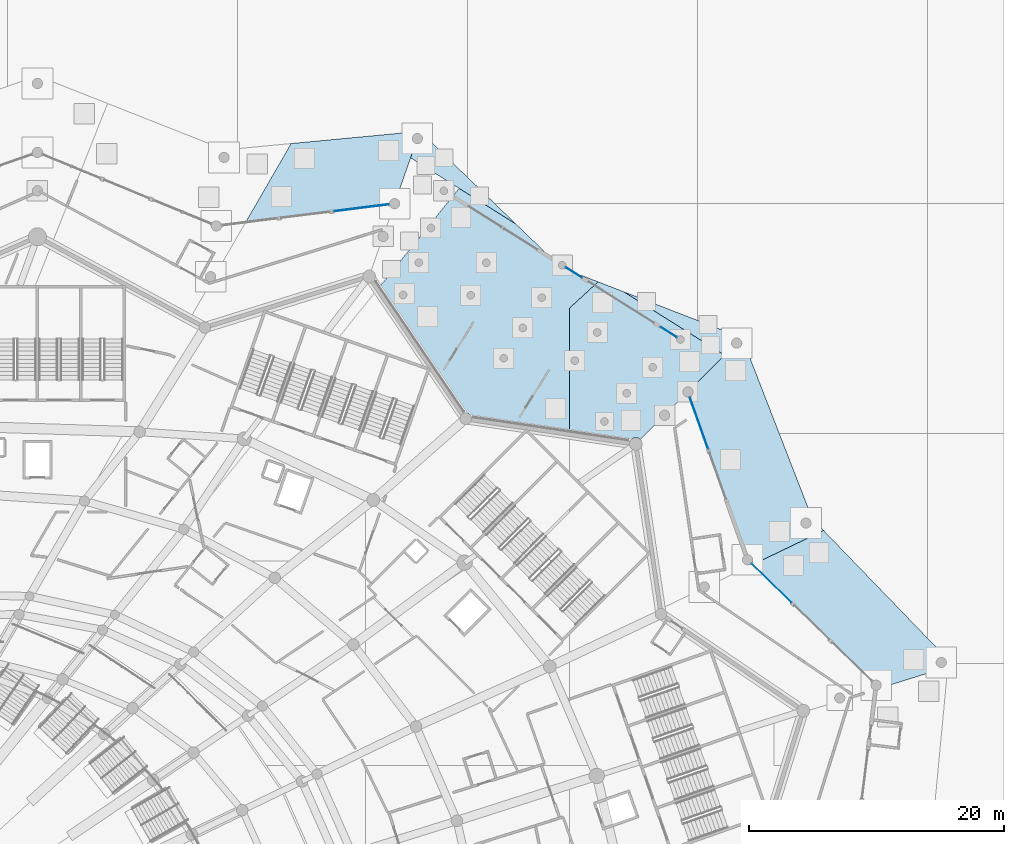
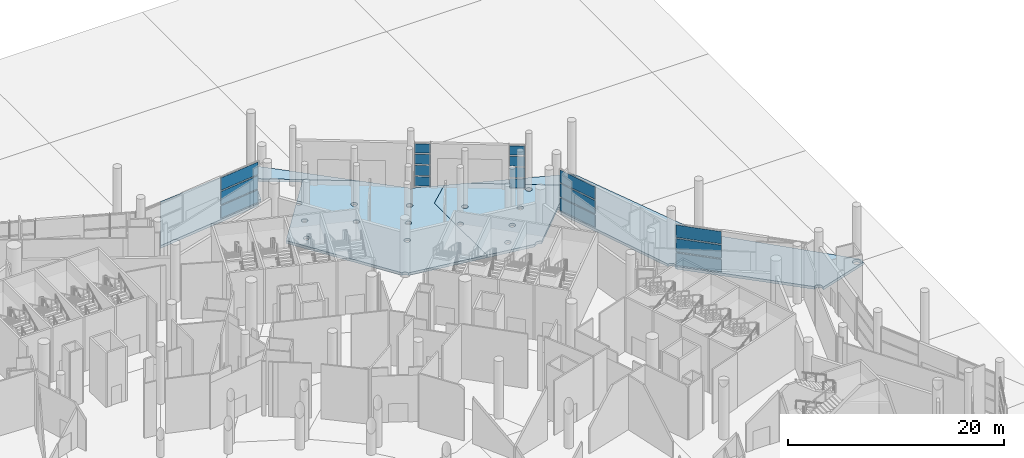
# One storey, part 99 of 255: 17 plates, 7 slabs, 5 elements without a shape of their own.
"""IFC4 building model written with IfcOpenShell, lengths in metres."""

from ifc_helpers import new_model, si_unit, direction, frame, origin, origin_2d, place, context, subcontext, project, spatial, polyline, rectangle, outline, extrude, material, layer, layer_set, type_object, element, aggregate, save


model = new_model("IFC4")

# Units and contexts
model_context = context("Model", 3, precision=1e-05, world=origin(), true_north=direction((0.0, 1.0)))
body_context = subcontext(model_context, "Body", "Model", "MODEL_VIEW")
ifc_project = project(units=[si_unit("LENGTHUNIT", "METRE"), si_unit("AREAUNIT", "SQUARE_METRE"), si_unit("VOLUMEUNIT", "CUBIC_METRE"), si_unit("PLANEANGLEUNIT", "RADIAN"), si_unit("MASSUNIT", "GRAM", prefix="KILO")], contexts=[model_context])

# Site, building, storey
site_placement = place(None, origin())
site = spatial("IfcSite", under=ifc_project, at=site_placement, CompositionType="ELEMENT")
building_placement = place(site_placement, origin())
building = spatial("IfcBuilding", under=site, at=building_placement, Name="Meseta Stadium", CompositionType="ELEMENT")
storey_placement = place(building_placement, origin())
storey = spatial("IfcBuildingStorey", under=building, at=storey_placement, Name="L00", CompositionType="ELEMENT", Elevation=0.0)

# Slabs
ifc_material_1 = material(Name="Concrete C40/50", Category="concrete")
ifc_layer_1 = layer(ifc_material_1, 0.300048828125)
ifc_layer_set_1 = layer_set([ifc_layer_1], Name="Gate court paving 300")
slab_type_1 = type_object("IfcSlabType", Name="Gate court paving 300", PredefinedType="FLOOR", material=ifc_layer_set_1)
slab_1_placement = place(storey_placement, frame((0.0, 0.0, -0.300048828125)))
element("IfcSlab", 1, at=slab_1_placement, inside=storey, type_object=slab_type_1, Name="Gate 2 court paving", PredefinedType="FLOOR", context=body_context, shape_type="SweptSolid", body=[
    extrude(outline(polyline([(79.30517578125, 103.0048828125), (68.273193359375, 113.6533203125), (67.5458984375, 111.57470703125), (75.799560546875, 106.388916015625), (79.30517578125, 103.0048828125)])), origin(), (0.0, 0.0, 1.0), 0.300048828125),
])
slab_2_placement = place(storey_placement, frame((0.0, 0.0, -0.300048828125)))
element("IfcSlab", 2, at=slab_2_placement, inside=storey, type_object=slab_type_1, Name="Gate 2 court paving", PredefinedType="FLOOR", context=body_context, shape_type="SweptSolid", body=[
    extrude(outline(polyline([(92.12841796875, 96.12841796875), (93.49755859375, 97.49755859375), (84.220458984375, 101.09765625), (92.12841796875, 96.12841796875)])), origin(), (0.0, 0.0, 1.0), 0.300048828125),
])
ifc_material_2 = material(Name="Concrete C30/37", Category="concrete")
ifc_layer_2 = layer(ifc_material_2, 0.300048828125)
ifc_layer_set_2 = layer_set([ifc_layer_2], Name="Gate grade slab 300")
slab_type_2 = type_object("IfcSlabType", Name="Gate grade slab 300", PredefinedType="BASESLAB", material=ifc_layer_set_2)
slab_3_placement = place(storey_placement, frame((0.0, 0.0, -0.300048828125)))
element("IfcSlab", 3, at=slab_3_placement, inside=storey, type_object=slab_type_2, Name="Gate ground floor slab 2 part 2 panel 01", PredefinedType="BASESLAB", context=body_context, shape_type="SweptSolid", body=[
    extrude(outline(polyline([(72.177734375, 91.4716796875), (72.249755859375, 91.377685546875), (72.29541015625, 91.267578125), (80.0, 90.123779296875), (80.0, 99.828369140625), (82.230224609375, 101.869873046875), (79.5537109375, 102.908447265625), (79.489990234375, 102.882080078125), (79.41162109375, 102.87158203125), (79.333251953125, 102.882080078125), (79.26025390625, 102.912109375), (79.19775390625, 102.960205078125), (79.149658203125, 103.02294921875), (79.119384765625, 103.095947265625), (79.10888671875, 103.17431640625), (79.111328125, 103.19189453125), (75.799560546875, 106.388916015625), (71.34375, 109.1884765625), (69.07861328125, 106.3818359375), (69.137451171875, 106.389404296875), (69.2158203125, 106.379150390625), (69.288818359375, 106.348876953125), (69.351318359375, 106.30078125), (69.3994140625, 106.23828125), (69.4296875, 106.165283203125), (69.440185546875, 106.0869140625), (69.4296875, 106.008544921875), (69.3994140625, 105.935546875), (69.351318359375, 105.872802734375), (69.288818359375, 105.82470703125), (69.2158203125, 105.794677734375), (69.137451171875, 105.7841796875), (69.05908203125, 105.794677734375), (68.986083984375, 105.82470703125), (68.923583984375, 105.872802734375), (68.87548828125, 105.935546875), (68.84521484375, 106.008544921875), (68.835693359375, 106.080810546875), (65.091552734375, 101.44140625), (71.773681640625, 91.59375), (71.856689453125, 91.604736328125), (71.97412109375, 91.589111328125), (72.083740234375, 91.5439453125), (72.177734375, 91.4716796875)]), holes=[polyline([(74.7578125, 95.60009765625), (74.684814453125, 95.63037109375), (74.622314453125, 95.678466796875), (74.57421875, 95.7412109375), (74.5439453125, 95.814208984375), (74.533447265625, 95.892578125), (74.5439453125, 95.970703125), (74.57421875, 96.043701171875), (74.622314453125, 96.1064453125), (74.684814453125, 96.154541015625), (74.7578125, 96.184814453125), (74.836181640625, 96.195068359375), (74.91455078125, 96.184814453125), (74.9873046875, 96.154541015625), (75.050048828125, 96.1064453125), (75.09814453125, 96.043701171875), (75.12841796875, 95.970703125), (75.138671875, 95.892578125), (75.12841796875, 95.814208984375), (75.09814453125, 95.7412109375), (75.050048828125, 95.678466796875), (74.9873046875, 95.63037109375), (74.91455078125, 95.60009765625), (74.836181640625, 95.58984375), (74.7578125, 95.60009765625)]), polyline([(72.519287109375, 100.970947265625), (72.549560546875, 100.89794921875), (72.56005859375, 100.819580078125), (72.549560546875, 100.7412109375), (72.519287109375, 100.66845703125), (72.47119140625, 100.605712890625), (72.40869140625, 100.5576171875), (72.335693359375, 100.52734375), (72.25732421875, 100.51708984375), (72.17919921875, 100.52734375), (72.106201171875, 100.5576171875), (72.04345703125, 100.605712890625), (71.995361328125, 100.66845703125), (71.965087890625, 100.7412109375), (71.954833984375, 100.819580078125), (71.965087890625, 100.89794921875), (71.995361328125, 100.970947265625), (72.04345703125, 101.03369140625), (72.106201171875, 101.081787109375), (72.17919921875, 101.11181640625), (72.25732421875, 101.122314453125), (72.335693359375, 101.11181640625), (72.40869140625, 101.081787109375), (72.47119140625, 101.03369140625), (72.519287109375, 100.970947265625)]), polyline([(67.21484375, 100.997314453125), (67.2451171875, 100.92431640625), (67.25537109375, 100.845947265625), (67.2451171875, 100.767578125), (67.21484375, 100.694580078125), (67.166748046875, 100.6318359375), (67.10400390625, 100.583740234375), (67.031005859375, 100.5537109375), (66.952880859375, 100.543212890625), (66.87451171875, 100.5537109375), (66.801513671875, 100.583740234375), (66.73876953125, 100.6318359375), (66.69091796875, 100.694580078125), (66.660400390625, 100.767578125), (66.650146484375, 100.845947265625), (66.660400390625, 100.92431640625), (66.69091796875, 100.997314453125), (66.73876953125, 101.059814453125), (66.801513671875, 101.10791015625), (66.87451171875, 101.13818359375), (66.952880859375, 101.1484375), (67.031005859375, 101.13818359375), (67.10400390625, 101.10791015625), (67.166748046875, 101.059814453125), (67.21484375, 100.997314453125)]), polyline([(73.738525390625, 103.51171875), (73.768798828125, 103.438720703125), (73.779052734375, 103.360595703125), (73.768798828125, 103.2822265625), (73.738525390625, 103.209228515625), (73.6904296875, 103.146484375), (73.627685546875, 103.098388671875), (73.5546875, 103.068115234375), (73.4765625, 103.057861328125), (73.398193359375, 103.068115234375), (73.3251953125, 103.098388671875), (73.262451171875, 103.146484375), (73.21435546875, 103.209228515625), (73.18408203125, 103.2822265625), (73.173828125, 103.360595703125), (73.18408203125, 103.438720703125), (73.21435546875, 103.51171875), (73.262451171875, 103.574462890625), (73.3251953125, 103.62255859375), (73.398193359375, 103.65283203125), (73.4765625, 103.6630859375), (73.5546875, 103.65283203125), (73.627685546875, 103.62255859375), (73.6904296875, 103.574462890625), (73.738525390625, 103.51171875)]), polyline([(68.40283203125, 103.590087890625), (68.450927734375, 103.52734375), (68.481201171875, 103.454345703125), (68.491455078125, 103.3759765625), (68.481201171875, 103.297607421875), (68.450927734375, 103.224609375), (68.40283203125, 103.162109375), (68.340087890625, 103.114013671875), (68.26708984375, 103.083740234375), (68.18896484375, 103.073486328125), (68.110595703125, 103.083740234375), (68.03759765625, 103.114013671875), (67.974853515625, 103.162109375), (67.927001953125, 103.224609375), (67.896484375, 103.297607421875), (67.88623046875, 103.3759765625), (67.896484375, 103.454345703125), (67.927001953125, 103.52734375), (67.974853515625, 103.590087890625), (68.03759765625, 103.63818359375), (68.110595703125, 103.668212890625), (68.18896484375, 103.6787109375), (68.26708984375, 103.668212890625), (68.340087890625, 103.63818359375), (68.40283203125, 103.590087890625)]), polyline([(76.539794921875, 98.477294921875), (76.587890625, 98.41455078125), (76.6181640625, 98.341552734375), (76.62841796875, 98.26318359375), (76.6181640625, 98.18505859375), (76.587890625, 98.112060546875), (76.539794921875, 98.04931640625), (76.47705078125, 98.001220703125), (76.404052734375, 97.970947265625), (76.32568359375, 97.960693359375), (76.24755859375, 97.970947265625), (76.174560546875, 98.001220703125), (76.11181640625, 98.04931640625), (76.063720703125, 98.112060546875), (76.03369140625, 98.18505859375), (76.023193359375, 98.26318359375), (76.03369140625, 98.341552734375), (76.063720703125, 98.41455078125), (76.11181640625, 98.477294921875), (76.174560546875, 98.525390625), (76.24755859375, 98.5556640625), (76.32568359375, 98.56591796875), (76.404052734375, 98.5556640625), (76.47705078125, 98.525390625), (76.539794921875, 98.477294921875)]), polyline([(78.07763671875, 100.785400390625), (78.10791015625, 100.71240234375), (78.1181640625, 100.634033203125), (78.10791015625, 100.555908203125), (78.07763671875, 100.48291015625), (78.029541015625, 100.420166015625), (77.966796875, 100.3720703125), (77.893798828125, 100.341796875), (77.8154296875, 100.33154296875), (77.7373046875, 100.341796875), (77.664306640625, 100.3720703125), (77.6015625, 100.420166015625), (77.553466796875, 100.48291015625), (77.523193359375, 100.555908203125), (77.512939453125, 100.634033203125), (77.523193359375, 100.71240234375), (77.553466796875, 100.785400390625), (77.6015625, 100.84814453125), (77.664306640625, 100.896240234375), (77.7373046875, 100.926513671875), (77.8154296875, 100.936767578125), (77.893798828125, 100.926513671875), (77.966796875, 100.896240234375), (78.029541015625, 100.84814453125), (78.07763671875, 100.785400390625)])]), origin(), (0.0, 0.0, 1.0), 0.300048828125),
])
slab_4_placement = place(storey_placement, frame((0.0, 0.0, -0.300048828125)))
element("IfcSlab", 4, at=slab_4_placement, inside=storey, type_object=slab_type_2, Name="Gate ground floor slab 2 part 2 panel 02", PredefinedType="BASESLAB", context=body_context, shape_type="SweptSolid", body=[
    extrude(outline(polyline([(85.5302734375, 89.5302734375), (92.12841796875, 96.12841796875), (84.220458984375, 101.09765625), (82.230224609375, 101.869873046875), (80.0, 99.828369140625), (80.0, 90.123779296875), (84.73486328125, 89.4208984375), (84.737060546875, 89.42578125), (84.817138671875, 89.5302734375), (84.921630859375, 89.610595703125), (85.043212890625, 89.660888671875), (85.173583984375, 89.677978515625), (85.30419921875, 89.660888671875), (85.42578125, 89.610595703125), (85.5302734375, 89.5302734375)]), holes=[polyline([(80.31591796875, 95.999267578125), (80.394287109375, 96.009521484375), (80.47265625, 95.999267578125), (80.545654296875, 95.968994140625), (80.608154296875, 95.9208984375), (80.65625, 95.858154296875), (80.6865234375, 95.78515625), (80.697021484375, 95.706787109375), (80.6865234375, 95.628662109375), (80.65625, 95.5556640625), (80.608154296875, 95.492919921875), (80.545654296875, 95.44482421875), (80.47265625, 95.41455078125), (80.394287109375, 95.404296875), (80.31591796875, 95.41455078125), (80.242919921875, 95.44482421875), (80.180419921875, 95.492919921875), (80.132080078125, 95.5556640625), (80.10205078125, 95.628662109375), (80.091796875, 95.706787109375), (80.10205078125, 95.78515625), (80.132080078125, 95.858154296875), (80.180419921875, 95.9208984375), (80.242919921875, 95.968994140625), (80.31591796875, 95.999267578125)]), polyline([(88.971923828125, 97.357177734375), (88.961669921875, 97.27880859375), (88.931396484375, 97.205810546875), (88.88330078125, 97.143310546875), (88.82080078125, 97.09521484375), (88.747802734375, 97.06494140625), (88.66943359375, 97.0546875), (88.591064453125, 97.06494140625), (88.51806640625, 97.09521484375), (88.45556640625, 97.143310546875), (88.407470703125, 97.205810546875), (88.377197265625, 97.27880859375), (88.36669921875, 97.357177734375), (88.377197265625, 97.435546875), (88.407470703125, 97.508544921875), (88.45556640625, 97.5712890625), (88.51806640625, 97.619384765625), (88.591064453125, 97.6494140625), (88.66943359375, 97.659912109375), (88.747802734375, 97.6494140625), (88.82080078125, 97.619384765625), (88.88330078125, 97.5712890625), (88.931396484375, 97.508544921875), (88.961669921875, 97.435546875), (88.971923828125, 97.357177734375)]), polyline([(82.45703125, 97.90771484375), (82.44677734375, 97.829345703125), (82.41650390625, 97.75634765625), (82.368408203125, 97.69384765625), (82.305908203125, 97.645751953125), (82.23291015625, 97.615478515625), (82.154541015625, 97.60498046875), (82.076171875, 97.615478515625), (82.003173828125, 97.645751953125), (81.940673828125, 97.69384765625), (81.892578125, 97.75634765625), (81.8623046875, 97.829345703125), (81.85205078125, 97.90771484375), (81.8623046875, 97.986083984375), (81.892578125, 98.05908203125), (81.940673828125, 98.12158203125), (82.003173828125, 98.169921875), (82.076171875, 98.199951171875), (82.154541015625, 98.210205078125), (82.23291015625, 98.199951171875), (82.305908203125, 98.169921875), (82.368408203125, 98.12158203125), (82.41650390625, 98.05908203125), (82.44677734375, 97.986083984375), (82.45703125, 97.90771484375)]), polyline([(83.01171875, 91.017333984375), (83.022216796875, 90.93896484375), (83.01171875, 90.860595703125), (82.9814453125, 90.78759765625), (82.933349609375, 90.72509765625), (82.870849609375, 90.677001953125), (82.7978515625, 90.646728515625), (82.719482421875, 90.636474609375), (82.64111328125, 90.646728515625), (82.568115234375, 90.677001953125), (82.505615234375, 90.72509765625), (82.45751953125, 90.78759765625), (82.42724609375, 90.860595703125), (82.4169921875, 90.93896484375), (82.42724609375, 91.017333984375), (82.45751953125, 91.09033203125), (82.505615234375, 91.153076171875), (82.568115234375, 91.201171875), (82.64111328125, 91.231201171875), (82.719482421875, 91.24169921875), (82.7978515625, 91.231201171875), (82.870849609375, 91.201171875), (82.933349609375, 91.153076171875), (82.9814453125, 91.09033203125), (83.01171875, 91.017333984375)]), polyline([(84.765380859375, 93.150390625), (84.7548828125, 93.072265625), (84.724853515625, 92.999267578125), (84.6767578125, 92.9365234375), (84.614013671875, 92.888427734375), (84.541015625, 92.858154296875), (84.462646484375, 92.847900390625), (84.384521484375, 92.858154296875), (84.3115234375, 92.888427734375), (84.248779296875, 92.9365234375), (84.20068359375, 92.999267578125), (84.17041015625, 93.072265625), (84.16015625, 93.150390625), (84.17041015625, 93.228759765625), (84.20068359375, 93.3017578125), (84.248779296875, 93.364501953125), (84.3115234375, 93.41259765625), (84.384521484375, 93.44287109375), (84.462646484375, 93.453125), (84.541015625, 93.44287109375), (84.614013671875, 93.41259765625), (84.6767578125, 93.364501953125), (84.724853515625, 93.3017578125), (84.7548828125, 93.228759765625), (84.765380859375, 93.150390625)]), polyline([(86.796142578125, 95.181396484375), (86.785888671875, 95.10302734375), (86.755615234375, 95.030029296875), (86.70751953125, 94.96728515625), (86.64501953125, 94.919189453125), (86.572021484375, 94.88916015625), (86.49365234375, 94.878662109375), (86.415283203125, 94.88916015625), (86.34228515625, 94.919189453125), (86.279541015625, 94.96728515625), (86.2314453125, 95.030029296875), (86.201416015625, 95.10302734375), (86.19091796875, 95.181396484375), (86.201416015625, 95.259521484375), (86.2314453125, 95.33251953125), (86.279541015625, 95.395263671875), (86.34228515625, 95.443359375), (86.415283203125, 95.4736328125), (86.49365234375, 95.48388671875), (86.572021484375, 95.4736328125), (86.64501953125, 95.443359375), (86.70751953125, 95.395263671875), (86.755615234375, 95.33251953125), (86.785888671875, 95.259521484375), (86.796142578125, 95.181396484375)])]), origin(), (0.0, 0.0, 1.0), 0.300048828125),
])
ifc_material_3 = material(Name="Concrete C40/50", Category="concrete")
ifc_layer_3 = layer(ifc_material_3, 0.300048828125)
ifc_layer_set_3 = layer_set([ifc_layer_3], Name="Passage paving slab 300")
slab_type_3 = type_object("IfcSlabType", Name="Passage paving slab 300", PredefinedType="FLOOR", material=ifc_layer_set_3)
slab_5_placement = place(storey_placement, frame((0.0, 0.0, -0.300048828125)))
element("IfcSlab", 5, at=slab_5_placement, inside=storey, type_object=slab_type_3, Name="Covered passage paving 2 panel 04", PredefinedType="FLOOR", context=body_context, shape_type="SweptSolid", body=[
    extrude(outline(polyline([(68.20751953125, 113.465087890625), (68.273193359375, 113.6533203125), (58.19482421875, 112.697998046875), (54.630126953125, 106.531005859375), (65.89453125, 107.940185546875), (65.88818359375, 107.989990234375), (65.90185546875, 108.094482421875), (65.942138671875, 108.191650390625), (66.00634765625, 108.275146484375), (66.08984375, 108.33935546875), (66.18701171875, 108.379638671875), (66.29150390625, 108.393310546875), (66.39599609375, 108.379638671875), (66.423828125, 108.3681640625), (67.942626953125, 112.708740234375), (67.873291015625, 112.737548828125), (67.789794921875, 112.801513671875), (67.7255859375, 112.88525390625), (67.685302734375, 112.982421875), (67.671630859375, 113.0869140625), (67.685302734375, 113.19140625), (67.7255859375, 113.28857421875), (67.789794921875, 113.372314453125), (67.873291015625, 113.436279296875), (67.970703125, 113.4765625), (68.0751953125, 113.490478515625), (68.179443359375, 113.4765625), (68.20751953125, 113.465087890625)])), origin(), (0.0, 0.0, 1.0), 0.300048828125),
])
slab_6_placement = place(storey_placement, frame((0.0, 0.0, -0.300048828125)))
element("IfcSlab", 6, at=slab_6_placement, inside=storey, type_object=slab_type_3, Name="Covered passage paving 1 part 1 panel 01", PredefinedType="FLOOR", context=body_context, shape_type="SweptSolid", body=[
    extrude(outline(polyline([(89.604248046875, 93.052978515625), (89.5400390625, 92.969482421875), (89.45654296875, 92.905517578125), (89.388916015625, 92.87744140625), (93.79052734375, 80.490478515625), (93.8203125, 80.502685546875), (93.924560546875, 80.5166015625), (94.029052734375, 80.502685546875), (94.126220703125, 80.46240234375), (94.2099609375, 80.398193359375), (94.27392578125, 80.314697265625), (94.314208984375, 80.21728515625), (94.327880859375, 80.113037109375), (94.314208984375, 80.008544921875), (94.27392578125, 79.911376953125), (94.212890625, 79.831787109375), (94.31884765625, 79.728515625), (99.877197265625, 82.401611328125), (99.0048828125, 83.30517578125), (93.49755859375, 97.49755859375), (93.3583984375, 97.3583984375), (93.422607421875, 97.27490234375), (93.462890625, 97.177490234375), (93.476806640625, 97.0732421875), (93.462890625, 96.96875), (93.422607421875, 96.87158203125), (93.3583984375, 96.787841796875), (93.27490234375, 96.723876953125), (93.177490234375, 96.68359375), (93.0732421875, 96.669921875), (92.96875, 96.68359375), (92.87158203125, 96.723876953125), (92.787841796875, 96.787841796875), (89.5400390625, 93.5400390625), (89.604248046875, 93.45654296875), (89.64453125, 93.359375), (89.658203125, 93.2548828125), (89.64453125, 93.150390625), (89.604248046875, 93.052978515625)]), holes=[polyline([(98.84619140625, 82.7841796875), (98.7822265625, 82.70068359375), (98.698486328125, 82.63671875), (98.601318359375, 82.59619140625), (98.496826171875, 82.58251953125), (98.392578125, 82.59619140625), (98.295166015625, 82.63671875), (98.211669921875, 82.70068359375), (98.1474609375, 82.7841796875), (98.107177734375, 82.881591796875), (98.093505859375, 82.986083984375), (98.107177734375, 83.09033203125), (98.1474609375, 83.187744140625), (98.211669921875, 83.271240234375), (98.295166015625, 83.33544921875), (98.392578125, 83.375732421875), (98.496826171875, 83.389404296875), (98.601318359375, 83.375732421875), (98.698486328125, 83.33544921875), (98.7822265625, 83.271240234375), (98.84619140625, 83.187744140625), (98.88671875, 83.09033203125), (98.900390625, 82.986083984375), (98.88671875, 82.881591796875), (98.84619140625, 82.7841796875)])]), origin(), (0.0, 0.0, 1.0), 0.300048828125),
])
slab_7_placement = place(storey_placement, frame((0.0, 0.0, -0.300048828125)))
element("IfcSlab", 7, at=slab_7_placement, inside=storey, type_object=slab_type_3, Name="Covered passage paving 1 part 1 panel 02", PredefinedType="FLOOR", context=body_context, shape_type="SweptSolid", body=[
    extrude(outline(polyline([(109.601318359375, 71.726806640625), (109.6533203125, 72.273193359375), (99.877197265625, 82.401611328125), (94.31884765625, 79.728515625), (103.70166015625, 70.572998046875), (103.70458984375, 70.576904296875), (103.7880859375, 70.64111328125), (103.885498046875, 70.681396484375), (103.989990234375, 70.695068359375), (104.094482421875, 70.681396484375), (104.191650390625, 70.64111328125), (104.275146484375, 70.576904296875), (104.33935546875, 70.493408203125), (104.379638671875, 70.39599609375), (104.393310546875, 70.29150390625), (104.379638671875, 70.18701171875), (104.33935546875, 70.08984375), (104.326416015625, 70.072998046875), (109.601318359375, 71.726806640625)]), holes=[polyline([(109.19140625, 71.685302734375), (109.0869140625, 71.671630859375), (108.982421875, 71.685302734375), (108.88525390625, 71.7255859375), (108.801513671875, 71.789794921875), (108.737548828125, 71.873291015625), (108.697265625, 71.970703125), (108.68359375, 72.0751953125), (108.697265625, 72.179443359375), (108.737548828125, 72.27685546875), (108.801513671875, 72.3603515625), (108.88525390625, 72.424560546875), (108.982421875, 72.46484375), (109.0869140625, 72.478515625), (109.19140625, 72.46484375), (109.28857421875, 72.424560546875), (109.372314453125, 72.3603515625), (109.436279296875, 72.27685546875), (109.4765625, 72.179443359375), (109.490478515625, 72.0751953125), (109.4765625, 71.970703125), (109.436279296875, 71.873291015625), (109.372314453125, 71.789794921875), (109.28857421875, 71.7255859375), (109.19140625, 71.685302734375)])]), origin(), (0.0, 0.0, 1.0), 0.300048828125),
])

# Curtain wall, plates
ifc_material_4 = material(Name="Aluminium", Category="aluminium")
ifc_layer_4 = layer(ifc_material_4, 0.199951171875)
ifc_layer_set_4 = layer_set([ifc_layer_4], Name="Ring shopfront curtain wall")
curtain_wall_type_1 = type_object("IfcCurtainWallType", Name="Ring shopfront curtain wall", PredefinedType="NOTDEFINED", material=ifc_layer_set_4)
curtain_wall_1_placement = place(storey_placement, origin())
curtain_wall_1 = element("IfcCurtainWall", 8, at=curtain_wall_1_placement, inside=storey, type_object=curtain_wall_type_1, Name="Shopfront glazing F10b", PredefinedType="NOTDEFINED")
ifc_material_5 = material(Name="Glass", Category="glass")
ifc_layer_5 = layer(ifc_material_5, 0.035888671875)
ifc_layer_set_5 = layer_set([ifc_layer_5], Name="Ring CW glass panel 36")
plate_type = type_object("IfcPlateType", Name="Ring CW glass panel 36", PredefinedType="CURTAIN_PANEL", material=ifc_layer_set_5)
plate_1_placement = place(storey_placement, frame((95.796875, 78.2861328125, 0.150146484375), z_axis=(0.0, 0.0, 1.0), x_axis=(-0.715718672485, 0.698388703987, 0.0)))
plate_1 = element("IfcPlate", 9, at=plate_1_placement, type_object=plate_type, Name="CWR1 panel 1.1", PredefinedType="CURTAIN_PANEL", context=body_context, shape_type="SweptSolid", body=[
    extrude(rectangle(XDim=4.3115234375, YDim=0.035888671875, at=origin_2d()), origin(), (0.0, 0.0, 1.0), 1.3916015625),
])
plate_2_placement = place(storey_placement, frame((95.796875, 78.2861328125, 1.69189453125), z_axis=(0.0, 0.0, 1.0), x_axis=(-0.715718672485, 0.698388703987, 0.0)))
plate_2 = element("IfcPlate", 10, at=plate_2_placement, type_object=plate_type, Name="CWR1 panel 1.2", PredefinedType="CURTAIN_PANEL", context=body_context, shape_type="SweptSolid", body=[
    extrude(rectangle(XDim=4.3115234375, YDim=0.035888671875, at=origin_2d()), origin(), (0.0, 0.0, 1.0), 1.466552734375),
])
plate_3_placement = place(storey_placement, frame((95.796875, 78.2861328125, 3.308349609375), z_axis=(0.0, 0.0, 1.0), x_axis=(-0.715718672485, 0.698388703987, 0.0)))
plate_3 = element("IfcPlate", 11, at=plate_3_placement, type_object=plate_type, Name="CWR1 panel 1.3", PredefinedType="CURTAIN_PANEL", context=body_context, shape_type="SweptSolid", body=[
    extrude(rectangle(XDim=4.3115234375, YDim=0.035888671875, at=origin_2d()), origin(), (0.0, 0.0, 1.0), 1.3916015625),
])
aggregate(curtain_wall_1, [plate_1, plate_2, plate_3])

curtain_wall_2_placement = place(storey_placement, origin())
curtain_wall_2 = element("IfcCurtainWall", 12, at=curtain_wall_2_placement, inside=storey, type_object=curtain_wall_type_1, Name="Shopfront glazing F11b", PredefinedType="NOTDEFINED")
plate_4_placement = place(storey_placement, frame((90.120849609375, 90.8173828125, 0.150146484375), z_axis=(0.0, 0.0, 1.0), x_axis=(-0.334817946273, 0.942282835912, 0.0)))
plate_4 = element("IfcPlate", 13, at=plate_4_placement, type_object=plate_type, Name="CWR1 panel 1.1", PredefinedType="CURTAIN_PANEL", context=body_context, shape_type="SweptSolid", body=[
    extrude(rectangle(XDim=4.25341796875, YDim=0.035888671875, at=origin_2d()), origin(), (0.0, 0.0, 1.0), 1.3916015625),
])
plate_5_placement = place(storey_placement, frame((90.120849609375, 90.8173828125, 1.69189453125), z_axis=(0.0, 0.0, 1.0), x_axis=(-0.334817946273, 0.942282835912, 0.0)))
plate_5 = element("IfcPlate", 14, at=plate_5_placement, type_object=plate_type, Name="CWR1 panel 1.2", PredefinedType="CURTAIN_PANEL", context=body_context, shape_type="SweptSolid", body=[
    extrude(rectangle(XDim=4.25341796875, YDim=0.035888671875, at=origin_2d()), origin(), (0.0, 0.0, 1.0), 1.466552734375),
])
plate_6_placement = place(storey_placement, frame((90.120849609375, 90.8173828125, 3.308349609375), z_axis=(0.0, 0.0, 1.0), x_axis=(-0.334817946273, 0.942282835912, 0.0)))
plate_6 = element("IfcPlate", 15, at=plate_6_placement, type_object=plate_type, Name="CWR1 panel 1.3", PredefinedType="CURTAIN_PANEL", context=body_context, shape_type="SweptSolid", body=[
    extrude(rectangle(XDim=4.25341796875, YDim=0.035888671875, at=origin_2d()), origin(), (0.0, 0.0, 1.0), 1.3916015625),
])
aggregate(curtain_wall_2, [plate_4, plate_5, plate_6])

curtain_wall_3_placement = place(storey_placement, origin())
curtain_wall_3 = element("IfcCurtainWall", 16, at=curtain_wall_3_placement, inside=storey, type_object=curtain_wall_type_1, Name="Shopfront glazing F14a", PredefinedType="NOTDEFINED")
plate_7_placement = place(storey_placement, frame((63.696044921875, 107.665283203125, 0.150146484375), z_axis=(0.0, 0.0, 1.0), x_axis=(-0.992262941728, -0.124154156083, 0.0)))
plate_7 = element("IfcPlate", 17, at=plate_7_placement, type_object=plate_type, Name="CWR1 panel 1.1", PredefinedType="CURTAIN_PANEL", context=body_context, shape_type="SweptSolid", body=[
    extrude(rectangle(XDim=4.3115234375, YDim=0.035888671875, at=origin_2d()), origin(), (0.0, 0.0, 1.0), 1.3916015625),
])
plate_8_placement = place(storey_placement, frame((63.696044921875, 107.665283203125, 1.69189453125), z_axis=(0.0, 0.0, 1.0), x_axis=(-0.992262941728, -0.124154156083, 0.0)))
plate_8 = element("IfcPlate", 18, at=plate_8_placement, type_object=plate_type, Name="CWR1 panel 1.2", PredefinedType="CURTAIN_PANEL", context=body_context, shape_type="SweptSolid", body=[
    extrude(rectangle(XDim=4.3115234375, YDim=0.035888671875, at=origin_2d()), origin(), (0.0, 0.0, 1.0), 1.466552734375),
])
plate_9_placement = place(storey_placement, frame((63.696044921875, 107.665283203125, 3.308349609375), z_axis=(0.0, 0.0, 1.0), x_axis=(-0.992262941728, -0.124154156083, 0.0)))
plate_9 = element("IfcPlate", 19, at=plate_9_placement, type_object=plate_type, Name="CWR1 panel 1.3", PredefinedType="CURTAIN_PANEL", context=body_context, shape_type="SweptSolid", body=[
    extrude(rectangle(XDim=4.3115234375, YDim=0.035888671875, at=origin_2d()), origin(), (0.0, 0.0, 1.0), 1.3916015625),
])
aggregate(curtain_wall_3, [plate_7, plate_8, plate_9])

ifc_material_6 = material(Name="Aluminium", Category="aluminium")
ifc_layer_6 = layer(ifc_material_6, 0.199951171875)
ifc_layer_set_6 = layer_set([ifc_layer_6], Name="Gate hall curtain wall")
curtain_wall_type_2 = type_object("IfcCurtainWallType", Name="Gate hall curtain wall", PredefinedType="NOTDEFINED", material=ifc_layer_set_6)
curtain_wall_4_placement = place(storey_placement, origin())
curtain_wall_4 = element("IfcCurtainWall", 20, at=curtain_wall_4_placement, inside=storey, type_object=curtain_wall_type_2, Name="Gate 2 glazing", PredefinedType="NOTDEFINED")
plate_10_placement = place(storey_placement, frame((87.751953125, 97.93359375, 0.14990234375), z_axis=(0.0, 0.0, 1.0), x_axis=(-0.846730196879, 0.532022531189, 0.0)))
plate_10 = element("IfcPlate", 21, at=plate_10_placement, type_object=plate_type, Name="CWG1 panel 1.1", PredefinedType="CURTAIN_PANEL", context=body_context, shape_type="SweptSolid", body=[
    extrude(rectangle(XDim=1.44677734375, YDim=0.035888671875, at=origin_2d()), origin(), (0.0, 0.0, 1.0), 1.03759765625),
])
plate_11_placement = place(storey_placement, frame((87.751953125, 97.93359375, 1.33740234375), z_axis=(0.0, 0.0, 1.0), x_axis=(-0.846730196879, 0.532022531189, 0.0)))
plate_11 = element("IfcPlate", 22, at=plate_11_placement, type_object=plate_type, Name="CWG1 panel 1.2", PredefinedType="CURTAIN_PANEL", context=body_context, shape_type="SweptSolid", body=[
    extrude(rectangle(XDim=1.44677734375, YDim=0.035888671875, at=origin_2d()), origin(), (0.0, 0.0, 1.0), 1.112548828125),
])
plate_12_placement = place(storey_placement, frame((87.751953125, 97.93359375, 2.60009765625), z_axis=(0.0, 0.0, 1.0), x_axis=(-0.846730196879, 0.532022531189, 0.0)))
plate_12 = element("IfcPlate", 23, at=plate_12_placement, type_object=plate_type, Name="CWG1 panel 1.3", PredefinedType="CURTAIN_PANEL", context=body_context, shape_type="SweptSolid", body=[
    extrude(rectangle(XDim=1.44677734375, YDim=0.035888671875, at=origin_2d()), origin(), (0.0, 0.0, 1.0), 1.112548828125),
])
plate_13_placement = place(storey_placement, frame((87.751953125, 97.93359375, 3.862548828125), z_axis=(0.0, 0.0, 1.0), x_axis=(-0.846730196879, 0.532022531189, 0.0)))
plate_13 = element("IfcPlate", 24, at=plate_13_placement, type_object=plate_type, Name="CWG1 panel 1.4", PredefinedType="CURTAIN_PANEL", context=body_context, shape_type="SweptSolid", body=[
    extrude(rectangle(XDim=1.44677734375, YDim=0.035888671875, at=origin_2d()), origin(), (0.0, 0.0, 1.0), 1.03759765625),
])
aggregate(curtain_wall_4, [plate_10, plate_11, plate_12, plate_13])

curtain_wall_5_placement = place(storey_placement, origin())
curtain_wall_5 = element("IfcCurtainWall", 25, at=curtain_wall_5_placement, inside=storey, type_object=curtain_wall_type_2, Name="Gate 2 glazing", PredefinedType="NOTDEFINED")
plate_14_placement = place(storey_placement, frame((80.328857421875, 102.597900390625, 0.14990234375), z_axis=(0.0, 0.0, 1.0), x_axis=(-0.846730196879, 0.532022531189, 0.0)))
plate_14 = element("IfcPlate", 26, at=plate_14_placement, type_object=plate_type, Name="CWG1 panel 1.1", PredefinedType="CURTAIN_PANEL", context=body_context, shape_type="SweptSolid", body=[
    extrude(rectangle(XDim=1.44677734375, YDim=0.035888671875, at=origin_2d()), origin(), (0.0, 0.0, 1.0), 1.03759765625),
])
plate_15_placement = place(storey_placement, frame((80.328857421875, 102.597900390625, 1.33740234375), z_axis=(0.0, 0.0, 1.0), x_axis=(-0.846730196879, 0.532022531189, 0.0)))
plate_15 = element("IfcPlate", 27, at=plate_15_placement, type_object=plate_type, Name="CWG1 panel 1.2", PredefinedType="CURTAIN_PANEL", context=body_context, shape_type="SweptSolid", body=[
    extrude(rectangle(XDim=1.44677734375, YDim=0.035888671875, at=origin_2d()), origin(), (0.0, 0.0, 1.0), 1.112548828125),
])
plate_16_placement = place(storey_placement, frame((80.328857421875, 102.597900390625, 2.60009765625), z_axis=(0.0, 0.0, 1.0), x_axis=(-0.846730196879, 0.532022531189, 0.0)))
plate_16 = element("IfcPlate", 28, at=plate_16_placement, type_object=plate_type, Name="CWG1 panel 1.3", PredefinedType="CURTAIN_PANEL", context=body_context, shape_type="SweptSolid", body=[
    extrude(rectangle(XDim=1.44677734375, YDim=0.035888671875, at=origin_2d()), origin(), (0.0, 0.0, 1.0), 1.112548828125),
])
plate_17_placement = place(storey_placement, frame((80.328857421875, 102.597900390625, 3.862548828125), z_axis=(0.0, 0.0, 1.0), x_axis=(-0.846730196879, 0.532022531189, 0.0)))
plate_17 = element("IfcPlate", 29, at=plate_17_placement, type_object=plate_type, Name="CWG1 panel 1.4", PredefinedType="CURTAIN_PANEL", context=body_context, shape_type="SweptSolid", body=[
    extrude(rectangle(XDim=1.44677734375, YDim=0.035888671875, at=origin_2d()), origin(), (0.0, 0.0, 1.0), 1.03759765625),
])
aggregate(curtain_wall_5, [plate_14, plate_15, plate_16, plate_17])

save(model, "model.ifc")
